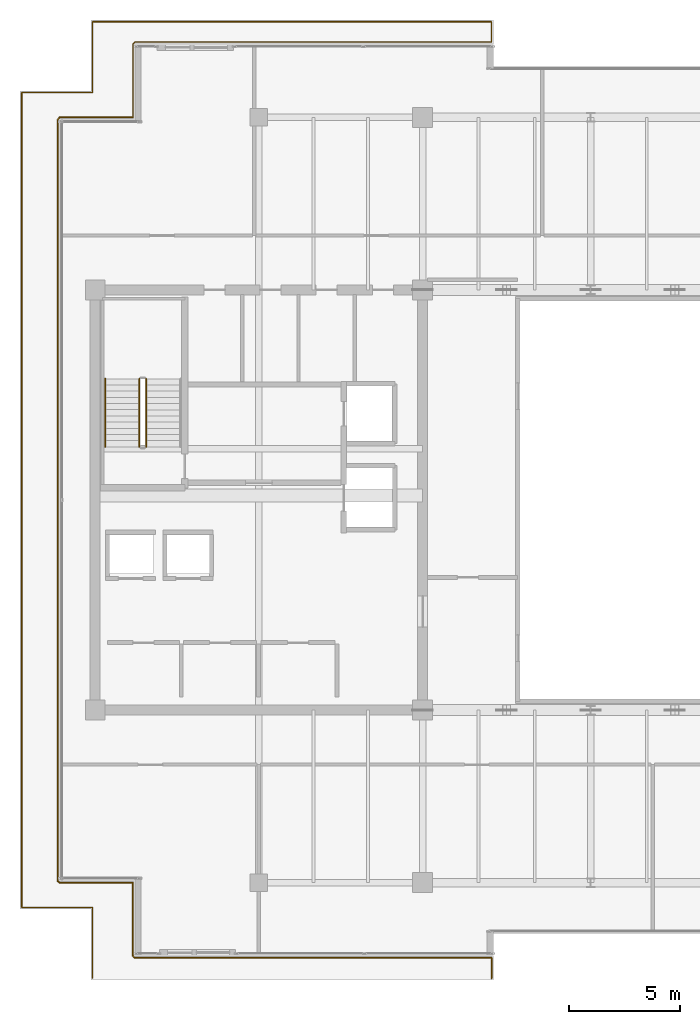
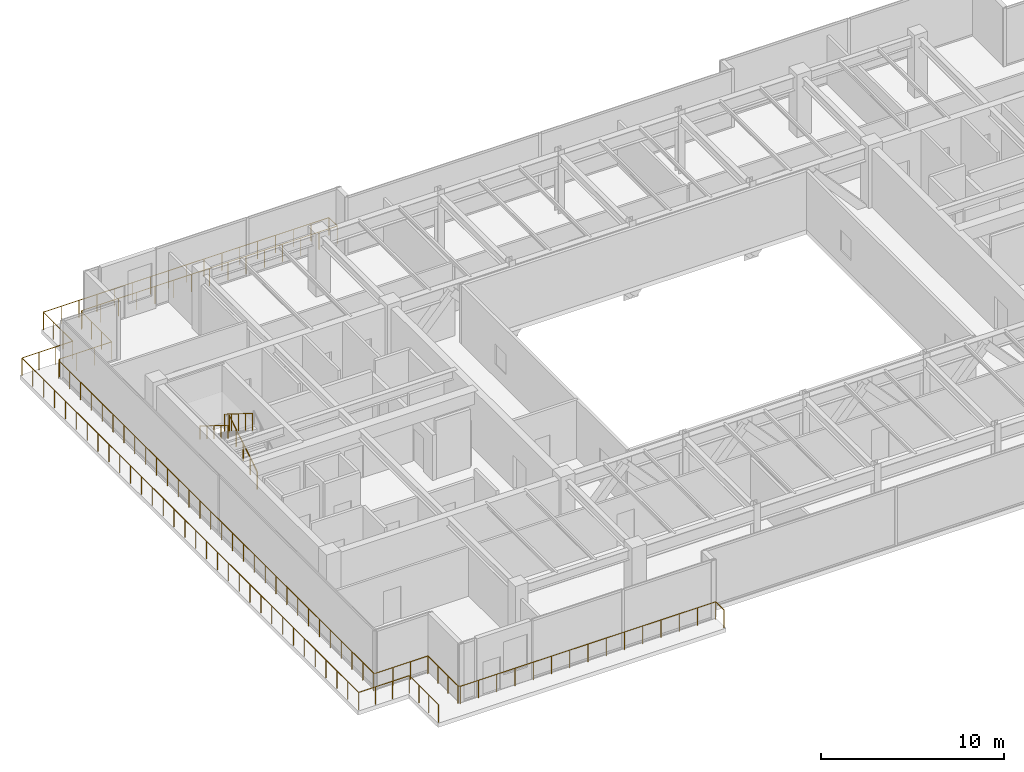
# One storey, part 31 of 34: 5 railings.
"""IFC4 building model written with IfcOpenShell, lengths in metres."""

from ifc_helpers import new_model, si_unit, direction, frame, origin, origin_2d, place, context, subcontext, project, spatial, circle, extrude, source, transform, mapped, material, type_object, type_shapes, element, save


model = new_model("IFC4")

# Units and contexts
model_context = context("Model", 3, precision=1e-05, world=origin(), true_north=direction((0.0, 1.0)))
body_context = subcontext(model_context, "Body", "Model", "MODEL_VIEW")
ifc_project = project(units=[si_unit("LENGTHUNIT", "METRE"), si_unit("AREAUNIT", "SQUARE_METRE"), si_unit("VOLUMEUNIT", "CUBIC_METRE"), si_unit("PLANEANGLEUNIT", "RADIAN"), si_unit("MASSUNIT", "GRAM", prefix="KILO")], contexts=[model_context])

# Site, building, storey
site_placement = place(None, origin())
site = spatial("IfcSite", under=ifc_project, at=site_placement, CompositionType="ELEMENT")
building_placement = place(site_placement, origin())
building = spatial("IfcBuilding", under=site, at=building_placement, Name="Haelvirn Gate Laboratories", CompositionType="ELEMENT")
storey_placement = place(building_placement, frame((0.0, 0.0, 297.60009765625)))
storey = spatial("IfcBuildingStorey", under=building, at=storey_placement, Name="L71", CompositionType="ELEMENT", Elevation=297.60009765625)

# Railings
ifc_material_1 = material(Name="Laminated safety glass & bronze stainless steel 316L", Category="steel")
railing_type_1 = type_object("IfcRailingType", Name="RLG-BAL-1200", PredefinedType="BALUSTRADE", material=ifc_material_1)
shared_shape_1 = source(origin(), body_context, "Body", "SweptSolid", [
    extrude(circle(Radius=0.02392578125, at=origin_2d()), frame((0.0, 0.0, 1.17578125), z_axis=(0.0, 1.0, 0.0), x_axis=(-1.0, 0.0, 0.0)), (0.0, 0.0, 1.0), 3.199951171875),
    extrude(circle(Radius=0.02392578125, at=origin_2d()), frame((0.0, 3.199951171875, 1.17578125), z_axis=(-1.0, 0.0, 0.0), x_axis=(0.0, -1.0, 0.0)), (0.0, 0.0, 1.0), 3.199951171875),
    extrude(circle(Radius=0.02392578125, at=origin_2d()), frame((-3.199951171875, 3.199951171875, 1.17578125), z_axis=(0.0, 1.0, 0.0), x_axis=(-1.0, 0.0, 0.0)), (0.0, 0.0, 1.0), 36.840087890625),
    extrude(circle(Radius=0.02392578125, at=origin_2d()), frame((-3.199951171875, 40.0400390625, 1.17578125), z_axis=(1.0, 0.0, 0.0), x_axis=(0.0, 1.0, 0.0)), (0.0, 0.0, 1.0), 3.199951171875),
    extrude(circle(Radius=0.02392578125, at=origin_2d()), frame((0.0, 40.0400390625, 1.17578125), z_axis=(0.0, 1.0, 0.0), x_axis=(-1.0, 0.0, 0.0)), (0.0, 0.0, 1.0), 3.199951171875),
    extrude(circle(Radius=0.02392578125, at=origin_2d()), frame((0.0, 43.239990234375, 1.17578125), z_axis=(1.0, 0.0, 0.0), x_axis=(0.0, 1.0, 0.0)), (0.0, 0.0, 1.0), 18.0400390625),
    extrude(circle(Radius=0.02392578125, at=origin_2d()), frame((18.0400390625, 43.239990234375, 1.17578125), z_axis=(0.0, -1.0, 0.0), x_axis=(1.0, 0.0, 0.0)), (0.0, 0.0, 1.0), 0.919921875),
    extrude(circle(Radius=0.02392578125, at=origin_2d()), frame((18.0400390625, 42.320068359375, 1.17578125), z_axis=(-0.999999994394, -0.000105887335, 0.0), x_axis=(0.000105887335, -0.999999994394, 0.0)), (0.0, 0.0, 1.0), 16.1396484375),
    extrude(circle(Radius=0.02392578125, at=origin_2d()), frame((1.900390625, 42.318359375, 1.17578125), z_axis=(-0.640950577289, -0.767582150309, 0.0), x_axis=(0.767582150309, -0.640950577289, 0.0)), (0.0, 0.0, 1.0), 0.125244140625),
    extrude(circle(Radius=0.02392578125, at=origin_2d()), frame((1.820068359375, 42.22216796875, 1.17578125), z_axis=(0.0, -1.0, 0.0), x_axis=(1.0, 0.0, 0.0)), (0.0, 0.0, 1.0), 3.302001953125),
    extrude(circle(Radius=0.02099609375, at=origin_2d()), origin(), (0.0, 0.0, 1.0), 1.15185546875),
    extrude(circle(Radius=0.02099609375, at=origin_2d()), frame((0.0, 1.066650390625, 0.0)), (0.0, 0.0, 1.0), 1.15185546875),
    extrude(circle(Radius=0.02099609375, at=origin_2d()), frame((0.0, 2.13330078125, 0.0)), (0.0, 0.0, 1.0), 1.15185546875),
    extrude(circle(Radius=0.02099609375, at=origin_2d()), frame((0.0, 3.199951171875, 0.0)), (0.0, 0.0, 1.0), 1.15185546875),
    extrude(circle(Radius=0.02099609375, at=origin_2d()), frame((-1.066650390625, 3.199951171875, 0.0)), (0.0, 0.0, 1.0), 1.15185546875),
    extrude(circle(Radius=0.02099609375, at=origin_2d()), frame((-2.13330078125, 3.199951171875, 0.0)), (0.0, 0.0, 1.0), 1.15185546875),
    extrude(circle(Radius=0.02099609375, at=origin_2d()), frame((-3.199951171875, 3.199951171875, 0.0)), (0.0, 0.0, 1.0), 1.15185546875),
    extrude(circle(Radius=0.02099609375, at=origin_2d()), frame((-3.199951171875, 4.388427734375, 0.0)), (0.0, 0.0, 1.0), 1.15185546875),
    extrude(circle(Radius=0.02099609375, at=origin_2d()), frame((-3.199951171875, 5.57666015625, 0.0)), (0.0, 0.0, 1.0), 1.15185546875),
    extrude(circle(Radius=0.02099609375, at=origin_2d()), frame((-3.199951171875, 6.76513671875, 0.0)), (0.0, 0.0, 1.0), 1.15185546875),
    extrude(circle(Radius=0.02099609375, at=origin_2d()), frame((-3.199951171875, 7.95361328125, 0.0)), (0.0, 0.0, 1.0), 1.15185546875),
    extrude(circle(Radius=0.02099609375, at=origin_2d()), frame((-3.199951171875, 9.141845703125, 0.0)), (0.0, 0.0, 1.0), 1.15185546875),
    extrude(circle(Radius=0.02099609375, at=origin_2d()), frame((-3.199951171875, 10.330322265625, 0.0)), (0.0, 0.0, 1.0), 1.15185546875),
    extrude(circle(Radius=0.02099609375, at=origin_2d()), frame((-3.199951171875, 11.518798828125, 0.0)), (0.0, 0.0, 1.0), 1.15185546875),
    extrude(circle(Radius=0.02099609375, at=origin_2d()), frame((-3.199951171875, 12.70703125, 0.0)), (0.0, 0.0, 1.0), 1.15185546875),
    extrude(circle(Radius=0.02099609375, at=origin_2d()), frame((-3.199951171875, 13.8955078125, 0.0)), (0.0, 0.0, 1.0), 1.15185546875),
    extrude(circle(Radius=0.02099609375, at=origin_2d()), frame((-3.199951171875, 15.083740234375, 0.0)), (0.0, 0.0, 1.0), 1.15185546875),
    extrude(circle(Radius=0.02099609375, at=origin_2d()), frame((-3.199951171875, 16.272216796875, 0.0)), (0.0, 0.0, 1.0), 1.15185546875),
    extrude(circle(Radius=0.02099609375, at=origin_2d()), frame((-3.199951171875, 17.460693359375, 0.0)), (0.0, 0.0, 1.0), 1.15185546875),
    extrude(circle(Radius=0.02099609375, at=origin_2d()), frame((-3.199951171875, 18.64892578125, 0.0)), (0.0, 0.0, 1.0), 1.15185546875),
    extrude(circle(Radius=0.02099609375, at=origin_2d()), frame((-3.199951171875, 19.83740234375, 0.0)), (0.0, 0.0, 1.0), 1.15185546875),
    extrude(circle(Radius=0.02099609375, at=origin_2d()), frame((-3.199951171875, 21.02587890625, 0.0)), (0.0, 0.0, 1.0), 1.15185546875),
    extrude(circle(Radius=0.02099609375, at=origin_2d()), frame((-3.199951171875, 22.214111328125, 0.0)), (0.0, 0.0, 1.0), 1.15185546875),
    extrude(circle(Radius=0.02099609375, at=origin_2d()), frame((-3.199951171875, 23.402587890625, 0.0)), (0.0, 0.0, 1.0), 1.15185546875),
    extrude(circle(Radius=0.02099609375, at=origin_2d()), frame((-3.199951171875, 24.591064453125, 0.0)), (0.0, 0.0, 1.0), 1.15185546875),
    extrude(circle(Radius=0.02099609375, at=origin_2d()), frame((-3.199951171875, 25.779296875, 0.0)), (0.0, 0.0, 1.0), 1.15185546875),
    extrude(circle(Radius=0.02099609375, at=origin_2d()), frame((-3.199951171875, 26.9677734375, 0.0)), (0.0, 0.0, 1.0), 1.15185546875),
    extrude(circle(Radius=0.02099609375, at=origin_2d()), frame((-3.199951171875, 28.15625, 0.0)), (0.0, 0.0, 1.0), 1.15185546875),
    extrude(circle(Radius=0.02099609375, at=origin_2d()), frame((-3.199951171875, 29.344482421875, 0.0)), (0.0, 0.0, 1.0), 1.15185546875),
    extrude(circle(Radius=0.02099609375, at=origin_2d()), frame((-3.199951171875, 30.532958984375, 0.0)), (0.0, 0.0, 1.0), 1.15185546875),
    extrude(circle(Radius=0.02099609375, at=origin_2d()), frame((-3.199951171875, 31.72119140625, 0.0)), (0.0, 0.0, 1.0), 1.15185546875),
    extrude(circle(Radius=0.02099609375, at=origin_2d()), frame((-3.199951171875, 32.90966796875, 0.0)), (0.0, 0.0, 1.0), 1.15185546875),
    extrude(circle(Radius=0.02099609375, at=origin_2d()), frame((-3.199951171875, 34.09814453125, 0.0)), (0.0, 0.0, 1.0), 1.15185546875),
    extrude(circle(Radius=0.02099609375, at=origin_2d()), frame((-3.199951171875, 35.286376953125, 0.0)), (0.0, 0.0, 1.0), 1.15185546875),
    extrude(circle(Radius=0.02099609375, at=origin_2d()), frame((-3.199951171875, 36.474853515625, 0.0)), (0.0, 0.0, 1.0), 1.15185546875),
    extrude(circle(Radius=0.02099609375, at=origin_2d()), frame((-3.199951171875, 37.663330078125, 0.0)), (0.0, 0.0, 1.0), 1.15185546875),
    extrude(circle(Radius=0.02099609375, at=origin_2d()), frame((-3.199951171875, 38.8515625, 0.0)), (0.0, 0.0, 1.0), 1.15185546875),
    extrude(circle(Radius=0.02099609375, at=origin_2d()), frame((-3.199951171875, 40.0400390625, 0.0)), (0.0, 0.0, 1.0), 1.15185546875),
    extrude(circle(Radius=0.02099609375, at=origin_2d()), frame((-2.13330078125, 40.0400390625, 0.0)), (0.0, 0.0, 1.0), 1.15185546875),
    extrude(circle(Radius=0.02099609375, at=origin_2d()), frame((-1.066650390625, 40.0400390625, 0.0)), (0.0, 0.0, 1.0), 1.15185546875),
    extrude(circle(Radius=0.02099609375, at=origin_2d()), frame((0.0, 40.0400390625, 0.0)), (0.0, 0.0, 1.0), 1.15185546875),
    extrude(circle(Radius=0.02099609375, at=origin_2d()), frame((0.0, 41.106689453125, 0.0)), (0.0, 0.0, 1.0), 1.15185546875),
    extrude(circle(Radius=0.02099609375, at=origin_2d()), frame((0.0, 42.17333984375, 0.0)), (0.0, 0.0, 1.0), 1.15185546875),
    extrude(circle(Radius=0.02099609375, at=origin_2d()), frame((0.0, 43.239990234375, 0.0)), (0.0, 0.0, 1.0), 1.15185546875),
    extrude(circle(Radius=0.02099609375, at=origin_2d()), frame((1.12744140625, 43.239990234375, 0.0)), (0.0, 0.0, 1.0), 1.15185546875),
    extrude(circle(Radius=0.02099609375, at=origin_2d()), frame((2.2548828125, 43.239990234375, 0.0)), (0.0, 0.0, 1.0), 1.15185546875),
    extrude(circle(Radius=0.02099609375, at=origin_2d()), frame((3.382568359375, 43.239990234375, 0.0)), (0.0, 0.0, 1.0), 1.15185546875),
    extrude(circle(Radius=0.02099609375, at=origin_2d()), frame((4.510009765625, 43.239990234375, 0.0)), (0.0, 0.0, 1.0), 1.15185546875),
    extrude(circle(Radius=0.02099609375, at=origin_2d()), frame((5.637451171875, 43.239990234375, 0.0)), (0.0, 0.0, 1.0), 1.15185546875),
    extrude(circle(Radius=0.02099609375, at=origin_2d()), frame((6.76513671875, 43.239990234375, 0.0)), (0.0, 0.0, 1.0), 1.15185546875),
    extrude(circle(Radius=0.02099609375, at=origin_2d()), frame((7.892578125, 43.239990234375, 0.0)), (0.0, 0.0, 1.0), 1.15185546875),
    extrude(circle(Radius=0.02099609375, at=origin_2d()), frame((9.02001953125, 43.239990234375, 0.0)), (0.0, 0.0, 1.0), 1.15185546875),
    extrude(circle(Radius=0.02099609375, at=origin_2d()), frame((10.1474609375, 43.239990234375, 0.0)), (0.0, 0.0, 1.0), 1.15185546875),
    extrude(circle(Radius=0.02099609375, at=origin_2d()), frame((11.27490234375, 43.239990234375, 0.0)), (0.0, 0.0, 1.0), 1.15185546875),
    extrude(circle(Radius=0.02099609375, at=origin_2d()), frame((12.402587890625, 43.239990234375, 0.0)), (0.0, 0.0, 1.0), 1.15185546875),
    extrude(circle(Radius=0.02099609375, at=origin_2d()), frame((13.530029296875, 43.239990234375, 0.0)), (0.0, 0.0, 1.0), 1.15185546875),
    extrude(circle(Radius=0.02099609375, at=origin_2d()), frame((14.657470703125, 43.239990234375, 0.0)), (0.0, 0.0, 1.0), 1.15185546875),
    extrude(circle(Radius=0.02099609375, at=origin_2d()), frame((15.78515625, 43.239990234375, 0.0)), (0.0, 0.0, 1.0), 1.15185546875),
    extrude(circle(Radius=0.02099609375, at=origin_2d()), frame((16.91259765625, 43.239990234375, 0.0)), (0.0, 0.0, 1.0), 1.15185546875),
    extrude(circle(Radius=0.02099609375, at=origin_2d()), frame((18.0400390625, 43.239990234375, 0.0)), (0.0, 0.0, 1.0), 1.15185546875),
    extrude(circle(Radius=0.02099609375, at=origin_2d()), frame((18.0400390625, 42.320068359375, 0.0)), (0.0, 0.0, 1.0), 1.15185546875),
    extrude(circle(Radius=0.02099609375, at=origin_2d()), frame((16.88720703125, 42.31982421875, 0.0)), (0.0, 0.0, 1.0), 1.15185546875),
    extrude(circle(Radius=0.02099609375, at=origin_2d()), frame((15.734375, 42.31982421875, 0.0)), (0.0, 0.0, 1.0), 1.15185546875),
    extrude(circle(Radius=0.02099609375, at=origin_2d()), frame((14.58154296875, 42.31982421875, 0.0)), (0.0, 0.0, 1.0), 1.15185546875),
    extrude(circle(Radius=0.02099609375, at=origin_2d()), frame((13.4287109375, 42.319580078125, 0.0)), (0.0, 0.0, 1.0), 1.15185546875),
    extrude(circle(Radius=0.02099609375, at=origin_2d()), frame((12.27587890625, 42.3193359375, 0.0)), (0.0, 0.0, 1.0), 1.15185546875),
    extrude(circle(Radius=0.02099609375, at=origin_2d()), frame((11.123046875, 42.3193359375, 0.0)), (0.0, 0.0, 1.0), 1.15185546875),
    extrude(circle(Radius=0.02099609375, at=origin_2d()), frame((9.97021484375, 42.3193359375, 0.0)), (0.0, 0.0, 1.0), 1.15185546875),
    extrude(circle(Radius=0.02099609375, at=origin_2d()), frame((8.8173828125, 42.319091796875, 0.0)), (0.0, 0.0, 1.0), 1.15185546875),
    extrude(circle(Radius=0.02099609375, at=origin_2d()), frame((7.66455078125, 42.31884765625, 0.0)), (0.0, 0.0, 1.0), 1.15185546875),
    extrude(circle(Radius=0.02099609375, at=origin_2d()), frame((6.51171875, 42.31884765625, 0.0)), (0.0, 0.0, 1.0), 1.15185546875),
    extrude(circle(Radius=0.02099609375, at=origin_2d()), frame((5.35888671875, 42.31884765625, 0.0)), (0.0, 0.0, 1.0), 1.15185546875),
    extrude(circle(Radius=0.02099609375, at=origin_2d()), frame((4.2060546875, 42.318603515625, 0.0)), (0.0, 0.0, 1.0), 1.15185546875),
    extrude(circle(Radius=0.02099609375, at=origin_2d()), frame((3.05322265625, 42.318359375, 0.0)), (0.0, 0.0, 1.0), 1.15185546875),
    extrude(circle(Radius=0.02099609375, at=origin_2d()), frame((1.900390625, 42.318359375, 0.0)), (0.0, 0.0, 1.0), 1.15185546875),
    extrude(circle(Radius=0.02099609375, at=origin_2d()), frame((1.820068359375, 42.22216796875, 0.0)), (0.0, 0.0, 1.0), 1.15185546875),
    extrude(circle(Radius=0.02099609375, at=origin_2d()), frame((1.820068359375, 41.12158203125, 0.0)), (0.0, 0.0, 1.0), 1.15185546875),
    extrude(circle(Radius=0.02099609375, at=origin_2d()), frame((1.820068359375, 40.020751953125, 0.0)), (0.0, 0.0, 1.0), 1.15185546875),
    extrude(circle(Radius=0.02099609375, at=origin_2d()), frame((1.820068359375, 38.920166015625, 0.0)), (0.0, 0.0, 1.0), 1.15185546875),
])
railing_1_placement = place(storey_placement, frame((7.280029296875, 2.679931640625, 0.0)))
element("IfcRailing", 1, at=railing_1_placement, inside=storey, type_object=railing_type_1, Name="L71 Setback Terrace Guardrail 1-1A", PredefinedType="BALUSTRADE", context=body_context, shape_type="MappedRepresentation", body=[
    mapped(shared_shape_1, transform((0.0, 0.0, 0.0), scale=1.0)),
])
shared_shape_2 = source(origin(), body_context, "Body", "SweptSolid", [
    extrude(circle(Radius=0.02392578125, at=origin_2d()), frame((0.0, 0.0, 1.17578125), z_axis=(-1.0, 0.0, 0.0), x_axis=(0.0, -1.0, 0.0)), (0.0, 0.0, 1.0), 3.302001953125),
    extrude(circle(Radius=0.02392578125, at=origin_2d()), frame((-3.302001953125, 0.0, 1.17578125), z_axis=(-0.707106781187, -0.707106781187, 0.0), x_axis=(0.707106781187, -0.707106781187, 0.0)), (0.0, 0.0, 1.0), 0.138916015625),
    extrude(circle(Radius=0.02392578125, at=origin_2d()), frame((-3.400146484375, -0.09814453125, 1.17578125), z_axis=(0.000340174603, -0.999999942141, 0.0), x_axis=(0.999999942141, 0.000340174603, 0.0)), (0.0, 0.0, 1.0), 34.44921875),
    extrude(circle(Radius=0.02392578125, at=origin_2d()), frame((-3.388427734375, -34.54736328125, 1.17578125), z_axis=(0.853639280337, -0.520864645629, 0.0), x_axis=(0.520864645629, 0.853639280337, 0.0)), (0.0, 0.0, 1.0), 0.101318359375),
    extrude(circle(Radius=0.02392578125, at=origin_2d()), frame((-3.302001953125, -34.60009765625, 1.17578125), z_axis=(1.0, 0.0, 0.0), x_axis=(0.0, 1.0, 0.0)), (0.0, 0.0, 1.0), 3.302001953125),
    extrude(circle(Radius=0.02392578125, at=origin_2d()), frame((0.0, -34.60009765625, 1.17578125), z_axis=(0.0, -1.0, 0.0), x_axis=(1.0, 0.0, 0.0)), (0.0, 0.0, 1.0), 3.302001953125),
    extrude(circle(Radius=0.02392578125, at=origin_2d()), frame((0.0, -37.902099609375, 1.17578125), z_axis=(0.640950577289, -0.767582150309, 0.0), x_axis=(0.767582150309, 0.640950577289, 0.0)), (0.0, 0.0, 1.0), 0.125244140625),
    extrude(circle(Radius=0.02392578125, at=origin_2d()), frame((0.080322265625, -37.998291015625, 1.17578125), z_axis=(0.999999994394, -0.000105887335, 0.0), x_axis=(0.000105887335, 0.999999994394, 0.0)), (0.0, 0.0, 1.0), 16.1396484375),
    extrude(circle(Radius=0.02392578125, at=origin_2d()), frame((16.219970703125, -38.0, 1.17578125), z_axis=(0.0, -1.0, 0.0), x_axis=(1.0, 0.0, 0.0)), (0.0, 0.0, 1.0), 0.920166015625),
    extrude(circle(Radius=0.02099609375, at=origin_2d()), origin(), (0.0, 0.0, 1.0), 1.15185546875),
    extrude(circle(Radius=0.02099609375, at=origin_2d()), frame((-1.1005859375, 0.0, 0.0)), (0.0, 0.0, 1.0), 1.15185546875),
    extrude(circle(Radius=0.02099609375, at=origin_2d()), frame((-2.201416015625, 0.0, 0.0)), (0.0, 0.0, 1.0), 1.15185546875),
    extrude(circle(Radius=0.02099609375, at=origin_2d()), frame((-3.302001953125, 0.0, 0.0)), (0.0, 0.0, 1.0), 1.15185546875),
    extrude(circle(Radius=0.02099609375, at=origin_2d()), frame((-3.400146484375, -0.09814453125, 0.0)), (0.0, 0.0, 1.0), 1.15185546875),
    extrude(circle(Radius=0.02099609375, at=origin_2d()), frame((-3.399658203125, -1.2861328125, 0.0)), (0.0, 0.0, 1.0), 1.15185546875),
    extrude(circle(Radius=0.02099609375, at=origin_2d()), frame((-3.3994140625, -2.473876953125, 0.0)), (0.0, 0.0, 1.0), 1.15185546875),
    extrude(circle(Radius=0.02099609375, at=origin_2d()), frame((-3.39892578125, -3.661865234375, 0.0)), (0.0, 0.0, 1.0), 1.15185546875),
    extrude(circle(Radius=0.02099609375, at=origin_2d()), frame((-3.3984375, -4.849853515625, 0.0)), (0.0, 0.0, 1.0), 1.15185546875),
    extrude(circle(Radius=0.02099609375, at=origin_2d()), frame((-3.398193359375, -6.03759765625, 0.0)), (0.0, 0.0, 1.0), 1.15185546875),
    extrude(circle(Radius=0.02099609375, at=origin_2d()), frame((-3.397705078125, -7.2255859375, 0.0)), (0.0, 0.0, 1.0), 1.15185546875),
    extrude(circle(Radius=0.02099609375, at=origin_2d()), frame((-3.397216796875, -8.41357421875, 0.0)), (0.0, 0.0, 1.0), 1.15185546875),
    extrude(circle(Radius=0.02099609375, at=origin_2d()), frame((-3.39697265625, -9.601318359375, 0.0)), (0.0, 0.0, 1.0), 1.15185546875),
    extrude(circle(Radius=0.02099609375, at=origin_2d()), frame((-3.396484375, -10.789306640625, 0.0)), (0.0, 0.0, 1.0), 1.15185546875),
    extrude(circle(Radius=0.02099609375, at=origin_2d()), frame((-3.39599609375, -11.977294921875, 0.0)), (0.0, 0.0, 1.0), 1.15185546875),
    extrude(circle(Radius=0.02099609375, at=origin_2d()), frame((-3.395751953125, -13.1650390625, 0.0)), (0.0, 0.0, 1.0), 1.15185546875),
    extrude(circle(Radius=0.02099609375, at=origin_2d()), frame((-3.395263671875, -14.35302734375, 0.0)), (0.0, 0.0, 1.0), 1.15185546875),
    extrude(circle(Radius=0.02099609375, at=origin_2d()), frame((-3.394775390625, -15.541015625, 0.0)), (0.0, 0.0, 1.0), 1.15185546875),
    extrude(circle(Radius=0.02099609375, at=origin_2d()), frame((-3.39453125, -16.728759765625, 0.0)), (0.0, 0.0, 1.0), 1.15185546875),
    extrude(circle(Radius=0.02099609375, at=origin_2d()), frame((-3.39404296875, -17.916748046875, 0.0)), (0.0, 0.0, 1.0), 1.15185546875),
    extrude(circle(Radius=0.02099609375, at=origin_2d()), frame((-3.393798828125, -19.1044921875, 0.0)), (0.0, 0.0, 1.0), 1.15185546875),
    extrude(circle(Radius=0.02099609375, at=origin_2d()), frame((-3.393310546875, -20.29248046875, 0.0)), (0.0, 0.0, 1.0), 1.15185546875),
    extrude(circle(Radius=0.02099609375, at=origin_2d()), frame((-3.392822265625, -21.48046875, 0.0)), (0.0, 0.0, 1.0), 1.15185546875),
    extrude(circle(Radius=0.02099609375, at=origin_2d()), frame((-3.392578125, -22.668212890625, 0.0)), (0.0, 0.0, 1.0), 1.15185546875),
    extrude(circle(Radius=0.02099609375, at=origin_2d()), frame((-3.39208984375, -23.856201171875, 0.0)), (0.0, 0.0, 1.0), 1.15185546875),
    extrude(circle(Radius=0.02099609375, at=origin_2d()), frame((-3.3916015625, -25.044189453125, 0.0)), (0.0, 0.0, 1.0), 1.15185546875),
    extrude(circle(Radius=0.02099609375, at=origin_2d()), frame((-3.391357421875, -26.23193359375, 0.0)), (0.0, 0.0, 1.0), 1.15185546875),
    extrude(circle(Radius=0.02099609375, at=origin_2d()), frame((-3.390869140625, -27.419921875, 0.0)), (0.0, 0.0, 1.0), 1.15185546875),
    extrude(circle(Radius=0.02099609375, at=origin_2d()), frame((-3.390380859375, -28.60791015625, 0.0)), (0.0, 0.0, 1.0), 1.15185546875),
    extrude(circle(Radius=0.02099609375, at=origin_2d()), frame((-3.39013671875, -29.795654296875, 0.0)), (0.0, 0.0, 1.0), 1.15185546875),
    extrude(circle(Radius=0.02099609375, at=origin_2d()), frame((-3.3896484375, -30.983642578125, 0.0)), (0.0, 0.0, 1.0), 1.15185546875),
    extrude(circle(Radius=0.02099609375, at=origin_2d()), frame((-3.38916015625, -32.171630859375, 0.0)), (0.0, 0.0, 1.0), 1.15185546875),
    extrude(circle(Radius=0.02099609375, at=origin_2d()), frame((-3.388916015625, -33.359375, 0.0)), (0.0, 0.0, 1.0), 1.15185546875),
    extrude(circle(Radius=0.02099609375, at=origin_2d()), frame((-3.388427734375, -34.54736328125, 0.0)), (0.0, 0.0, 1.0), 1.15185546875),
    extrude(circle(Radius=0.02099609375, at=origin_2d()), frame((-2.201416015625, -34.60009765625, 0.0)), (0.0, 0.0, 1.0), 1.15185546875),
    extrude(circle(Radius=0.02099609375, at=origin_2d()), frame((-1.1005859375, -34.60009765625, 0.0)), (0.0, 0.0, 1.0), 1.15185546875),
    extrude(circle(Radius=0.02099609375, at=origin_2d()), frame((0.0, -34.60009765625, 0.0)), (0.0, 0.0, 1.0), 1.15185546875),
    extrude(circle(Radius=0.02099609375, at=origin_2d()), frame((0.0, -35.70068359375, 0.0)), (0.0, 0.0, 1.0), 1.15185546875),
    extrude(circle(Radius=0.02099609375, at=origin_2d()), frame((0.0, -36.801513671875, 0.0)), (0.0, 0.0, 1.0), 1.15185546875),
    extrude(circle(Radius=0.02099609375, at=origin_2d()), frame((0.0, -37.902099609375, 0.0)), (0.0, 0.0, 1.0), 1.15185546875),
    extrude(circle(Radius=0.02099609375, at=origin_2d()), frame((0.080322265625, -37.998291015625, 0.0)), (0.0, 0.0, 1.0), 1.15185546875),
    extrude(circle(Radius=0.02099609375, at=origin_2d()), frame((1.233154296875, -37.99853515625, 0.0)), (0.0, 0.0, 1.0), 1.15185546875),
    extrude(circle(Radius=0.02099609375, at=origin_2d()), frame((2.385986328125, -37.99853515625, 0.0)), (0.0, 0.0, 1.0), 1.15185546875),
    extrude(circle(Radius=0.02099609375, at=origin_2d()), frame((3.538818359375, -37.99853515625, 0.0)), (0.0, 0.0, 1.0), 1.15185546875),
    extrude(circle(Radius=0.02099609375, at=origin_2d()), frame((4.691650390625, -37.998779296875, 0.0)), (0.0, 0.0, 1.0), 1.15185546875),
    extrude(circle(Radius=0.02099609375, at=origin_2d()), frame((5.844482421875, -37.9990234375, 0.0)), (0.0, 0.0, 1.0), 1.15185546875),
    extrude(circle(Radius=0.02099609375, at=origin_2d()), frame((6.997314453125, -37.9990234375, 0.0)), (0.0, 0.0, 1.0), 1.15185546875),
    extrude(circle(Radius=0.02099609375, at=origin_2d()), frame((8.150146484375, -37.9990234375, 0.0)), (0.0, 0.0, 1.0), 1.15185546875),
    extrude(circle(Radius=0.02099609375, at=origin_2d()), frame((9.302978515625, -37.999267578125, 0.0)), (0.0, 0.0, 1.0), 1.15185546875),
    extrude(circle(Radius=0.02099609375, at=origin_2d()), frame((10.455810546875, -37.99951171875, 0.0)), (0.0, 0.0, 1.0), 1.15185546875),
    extrude(circle(Radius=0.02099609375, at=origin_2d()), frame((11.608642578125, -37.99951171875, 0.0)), (0.0, 0.0, 1.0), 1.15185546875),
    extrude(circle(Radius=0.02099609375, at=origin_2d()), frame((12.761474609375, -37.99951171875, 0.0)), (0.0, 0.0, 1.0), 1.15185546875),
    extrude(circle(Radius=0.02099609375, at=origin_2d()), frame((13.914306640625, -37.999755859375, 0.0)), (0.0, 0.0, 1.0), 1.15185546875),
    extrude(circle(Radius=0.02099609375, at=origin_2d()), frame((15.067138671875, -38.0, 0.0)), (0.0, 0.0, 1.0), 1.15185546875),
    extrude(circle(Radius=0.02099609375, at=origin_2d()), frame((16.219970703125, -38.0, 0.0)), (0.0, 0.0, 1.0), 1.15185546875),
    extrude(circle(Radius=0.02099609375, at=origin_2d()), frame((16.219970703125, -38.920166015625, 0.0)), (0.0, 0.0, 1.0), 1.15185546875),
])
type_shapes(railing_type_1, [shared_shape_1, shared_shape_2])
railing_2_placement = place(storey_placement, frame((9.10009765625, 41.60009765625, 0.0)))
element("IfcRailing", 2, at=railing_2_placement, inside=storey, type_object=railing_type_1, Name="L71 Setback Terrace Guardrail 1-1B", PredefinedType="BALUSTRADE", context=body_context, shape_type="MappedRepresentation", body=[
    mapped(shared_shape_2, transform((0.0, 0.0, 0.0), scale=1.0)),
])
ifc_material_2 = material(Name="Galvanised steel SM355 & stainless top rail", Category="steel")
railing_type_2 = type_object("IfcRailingType", Name="RL-GUARD-1150", PredefinedType="GUARDRAIL", material=ifc_material_2)
shared_shape_3 = source(origin(), body_context, "Body", "SweptSolid", [
    extrude(circle(Radius=0.02392578125, at=origin_2d()), frame((0.0, 0.0, 1.1259765625), z_axis=(0.0, 0.847998304005, 0.529998940003), x_axis=(-1.0, 0.0, 0.0)), (0.0, 0.0, 1.0), 3.632080078125),
    extrude(circle(Radius=0.02099609375, at=origin_2d()), origin(), (0.0, 0.0, 1.0), 1.101806640625),
    extrude(circle(Radius=0.02099609375, at=origin_2d()), frame((0.0, 0.77001953125, 0.481201171875)), (0.0, 0.0, 1.0), 1.101806640625),
    extrude(circle(Radius=0.02099609375, at=origin_2d()), frame((0.0, 1.5400390625, 0.96240234375)), (0.0, 0.0, 1.0), 1.101806640625),
    extrude(circle(Radius=0.02099609375, at=origin_2d()), frame((0.0, 2.31005859375, 1.44384765625)), (0.0, 0.0, 1.0), 1.101806640625),
    extrude(circle(Radius=0.02099609375, at=origin_2d()), frame((0.0, 3.080078125, 1.925048828125)), (0.0, 0.0, 1.0), 1.101806640625),
])
railing_3_placement = place(storey_placement, frame((9.699951171875, 26.699951171875, 0.1748046875)))
element("IfcRailing", 3, at=railing_3_placement, inside=storey, type_object=railing_type_2, Name="L71 ST1 stair guard 1", PredefinedType="GUARDRAIL", context=body_context, shape_type="MappedRepresentation", body=[
    mapped(shared_shape_3, transform((0.0, 0.0, 0.0), scale=1.0)),
])
shared_shape_4 = source(origin(), body_context, "Body", "SweptSolid", [
    extrude(circle(Radius=0.02392578125, at=origin_2d()), frame((0.0, 0.0, 1.1259765625), z_axis=(0.0, -0.847998304005, 0.529998940003), x_axis=(1.0, 0.0, 0.0)), (0.0, 0.0, 1.0), 3.632080078125),
    extrude(circle(Radius=0.02099609375, at=origin_2d()), origin(), (0.0, 0.0, 1.0), 1.101806640625),
    extrude(circle(Radius=0.02099609375, at=origin_2d()), frame((0.0, -0.77001953125, 0.481201171875)), (0.0, 0.0, 1.0), 1.101806640625),
    extrude(circle(Radius=0.02099609375, at=origin_2d()), frame((0.0, -1.5400390625, 0.96240234375)), (0.0, 0.0, 1.0), 1.101806640625),
    extrude(circle(Radius=0.02099609375, at=origin_2d()), frame((0.0, -2.31005859375, 1.44384765625)), (0.0, 0.0, 1.0), 1.101806640625),
    extrude(circle(Radius=0.02099609375, at=origin_2d()), frame((0.0, -3.080078125, 1.925048828125)), (0.0, 0.0, 1.0), 1.101806640625),
])
type_shapes(railing_type_2, [shared_shape_3, shared_shape_4])
railing_4_placement = place(storey_placement, frame((9.39990234375, 29.780029296875, 2.27490234375)))
element("IfcRailing", 4, at=railing_4_placement, inside=storey, type_object=railing_type_2, Name="L71 ST1 stair guard 3", PredefinedType="GUARDRAIL", context=body_context, shape_type="MappedRepresentation", body=[
    mapped(shared_shape_4, transform((0.0, 0.0, 0.0), scale=1.0)),
])
ifc_material_3 = material(Name="Brushed stainless steel 316L", Category="steel")
railing_type_3 = type_object("IfcRailingType", Name="RL-HAND-920", PredefinedType="HANDRAIL", material=ifc_material_3)
shared_shape_5 = source(origin(), body_context, "Body", "SweptSolid", [
    extrude(circle(Radius=0.02392578125, at=origin_2d()), frame((0.0, 0.0, 0.8759765625), z_axis=(0.0, -0.847998304005, 0.529998940003), x_axis=(1.0, 0.0, 0.0)), (0.0, 0.0, 1.0), 3.632080078125),
    extrude(circle(Radius=0.02099609375, at=origin_2d()), origin(), (0.0, 0.0, 1.0), 0.851806640625),
    extrude(circle(Radius=0.02099609375, at=origin_2d()), frame((0.0, -0.77001953125, 0.481201171875)), (0.0, 0.0, 1.0), 0.851806640625),
    extrude(circle(Radius=0.02099609375, at=origin_2d()), frame((0.0, -1.5400390625, 0.96240234375)), (0.0, 0.0, 1.0), 0.851806640625),
    extrude(circle(Radius=0.02099609375, at=origin_2d()), frame((0.0, -2.31005859375, 1.44384765625)), (0.0, 0.0, 1.0), 0.851806640625),
    extrude(circle(Radius=0.02099609375, at=origin_2d()), frame((0.0, -3.080078125, 1.925048828125)), (0.0, 0.0, 1.0), 0.851806640625),
])
type_shapes(railing_type_3, [shared_shape_5])
railing_5_placement = place(storey_placement, frame((7.85009765625, 29.780029296875, 2.27490234375)))
element("IfcRailing", 5, at=railing_5_placement, inside=storey, type_object=railing_type_3, Name="L71 ST1 stair handrail 2", PredefinedType="HANDRAIL", context=body_context, shape_type="MappedRepresentation", body=[
    mapped(shared_shape_5, transform((0.0, 0.0, 0.0), scale=1.0)),
])

save(model, "model.ifc")
